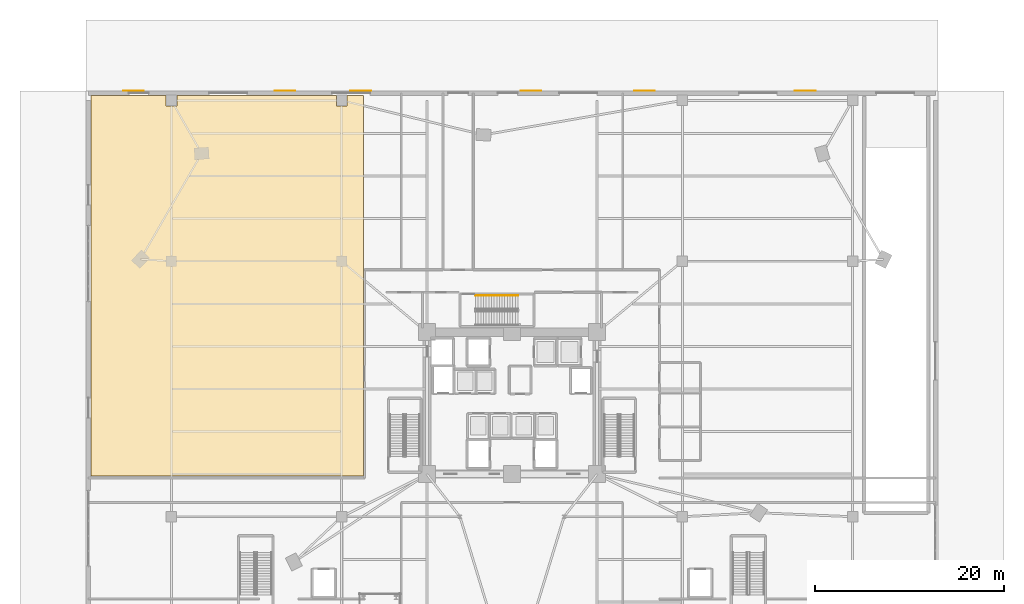
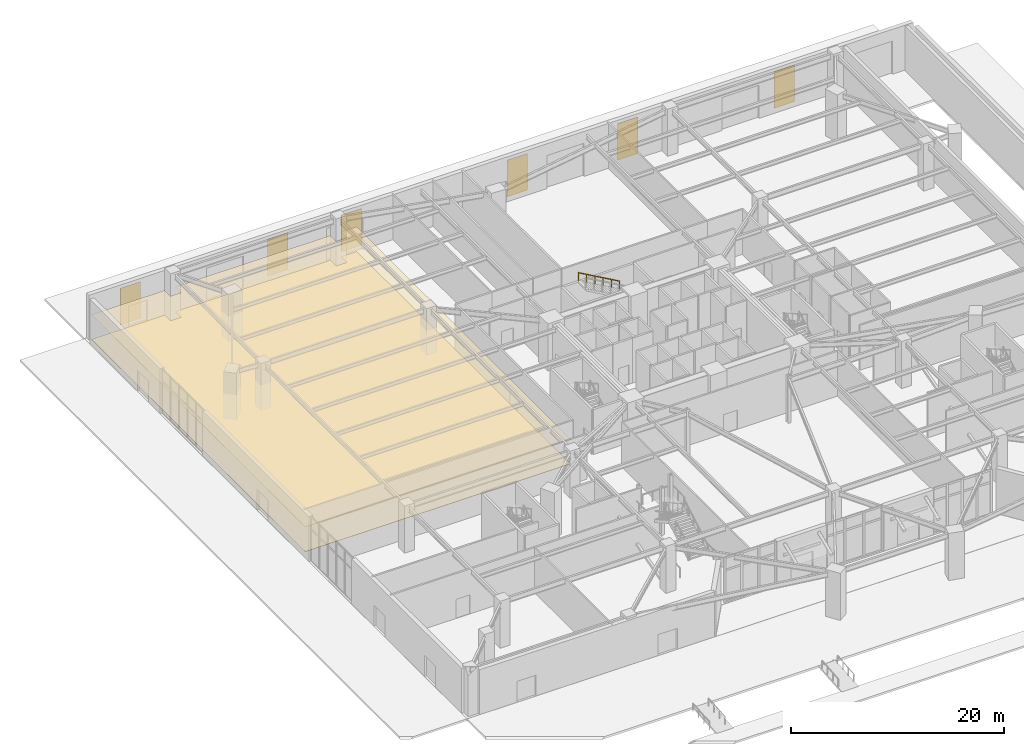
# One storey, part 29 of 30: 8 coverings, 1 railing.
"""IFC4 building model written with IfcOpenShell, lengths in metres."""

from ifc_helpers import new_model, si_unit, direction, frame, origin, origin_2d, place, context, subcontext, project, spatial, polyline, rectangle, outline, extrude, source, transform, mapped, material, layer, layer_set, type_object, element, save


model = new_model("IFC4")

# Units and contexts
model_context = context("Model", 3, precision=1e-05, world=origin(), true_north=direction((0.0, 1.0)))
body_context = subcontext(model_context, "Body", "Model", "MODEL_VIEW")
ifc_project = project(units=[si_unit("LENGTHUNIT", "METRE"), si_unit("AREAUNIT", "SQUARE_METRE"), si_unit("VOLUMEUNIT", "CUBIC_METRE"), si_unit("PLANEANGLEUNIT", "RADIAN"), si_unit("MASSUNIT", "GRAM", prefix="KILO")], contexts=[model_context])

# Site, building, storey
site_placement = place(None, origin())
site = spatial("IfcSite", under=ifc_project, at=site_placement, CompositionType="ELEMENT")
building_placement = place(site_placement, origin())
building = spatial("IfcBuilding", under=site, at=building_placement, Name="Liaohun Quay Tower", CompositionType="ELEMENT")
storey_placement = place(building_placement, origin())
storey = spatial("IfcBuildingStorey", under=building, at=storey_placement, Name="L01", CompositionType="ELEMENT", Elevation=0.0)

# Coverings
ifc_material_1 = material(Name="Mineral-fibre acoustic ceiling tile")
ifc_layer_1 = layer(ifc_material_1, 0.02490234375, Name="Mineral-fibre acoustic ceiling tile")
ifc_layer_set_1 = layer_set([ifc_layer_1], Name="Mineral-fibre acoustic ceiling tile")
covering_type_1 = type_object("IfcCoveringType", Name="COV-CEIL-ACT", PredefinedType="CEILING", material=ifc_layer_set_1)
covering_1_placement = place(storey_placement, frame((0.0, 0.0, 2.85009765625)))
element("IfcCovering", 1, at=covering_1_placement, inside=storey, type_object=covering_type_1, Name="L01 Shenyang Maritime Exhibition Gallery Acoustic Ceiling", PredefinedType="CEILING", context=body_context, shape_type="SweptSolid", body=[
    extrude(outline(polyline([(42.570068359375, 86.52001953125), (42.570068359375, 85.429931640625), (41.429931640625, 85.429931640625), (41.429931640625, 86.52001953125), (24.570068359375, 86.52001953125), (24.570068359375, 85.429931640625), (23.429931640625, 85.429931640625), (23.429931640625, 86.52001953125), (15.47998046875, 86.52001953125), (15.47998046875, 46.300048828125), (44.300048828125, 46.300048828125), (44.300048828125, 86.52001953125), (42.570068359375, 86.52001953125)])), origin(), (0.0, 0.0, 1.0), 0.02490234375),
])
ifc_material_2 = material(Name="Honed Liaodong granite floor paving", Category="masonry")
ifc_layer_2 = layer(ifc_material_2, 0.034912109375, Name="Honed Liaodong granite floor paving", Category="masonry")
ifc_layer_set_2 = layer_set([ifc_layer_2], Name="Honed Liaodong granite floor paving")
covering_type_2 = type_object("IfcCoveringType", Name="COV-FLR-STN", PredefinedType="FLOORING", material=ifc_layer_set_2)
covering_2_placement = place(storey_placement, origin())
element("IfcCovering", 2, at=covering_2_placement, inside=storey, type_object=covering_type_2, Name="L01 Shenyang Maritime Exhibition Gallery Floor Finish", PredefinedType="FLOORING", context=body_context, shape_type="SweptSolid", body=[
    extrude(outline(polyline([(42.570068359375, 86.52001953125), (42.570068359375, 85.429931640625), (41.429931640625, 85.429931640625), (41.429931640625, 86.52001953125), (24.570068359375, 86.52001953125), (24.570068359375, 85.429931640625), (23.429931640625, 85.429931640625), (23.429931640625, 86.52001953125), (15.47998046875, 86.52001953125), (15.47998046875, 46.300048828125), (44.300048828125, 46.300048828125), (44.300048828125, 86.52001953125), (42.570068359375, 86.52001953125)])), origin(), (0.0, 0.0, 1.0), 0.034912109375),
])

# Railing
ifc_material_3 = material(Name="Brushed stainless steel", Category="steel")
railing_type = type_object("IfcRailingType", Name="RLG-HND-STR", PredefinedType="HANDRAIL", material=ifc_material_3)
railing_placement = place(storey_placement, frame((60.6298828125, 65.360107421875, 2.85888671875)))
element("IfcRailing", 3, at=railing_placement, inside=storey, type_object=railing_type, Name="L01 ST-3 stair handrail 2", PredefinedType="HANDRAIL", context=body_context, shape_type="SweptSolid", body=[
    extrude(rectangle(XDim=0.048095703125, YDim=0.048095703125, at=origin_2d()), frame((0.0, 0.0, 0.8759765625), z_axis=(-0.869825572089, 0.0, 0.493359376256), x_axis=(0.0, -1.0, 0.0)), (0.0, 0.0, 1.0), 5.150390625),
    extrude(rectangle(XDim=0.0419921875, YDim=0.0419921875, at=origin_2d()), origin(), (0.0, 0.0, 1.0), 0.851806640625),
    extrude(rectangle(XDim=0.0419921875, YDim=0.0419921875, at=origin_2d()), frame((-0.89599609375, 0.0, 0.50830078125)), (0.0, 0.0, 1.0), 0.851806640625),
    extrude(rectangle(XDim=0.0419921875, YDim=0.0419921875, at=origin_2d()), frame((-1.7919921875, 0.0, 1.016357421875)), (0.0, 0.0, 1.0), 0.851806640625),
    extrude(rectangle(XDim=0.0419921875, YDim=0.0419921875, at=origin_2d()), frame((-2.68798828125, 0.0, 1.524658203125)), (0.0, 0.0, 1.0), 0.851806640625),
    extrude(rectangle(XDim=0.0419921875, YDim=0.0419921875, at=origin_2d()), frame((-3.583984375, 0.0, 2.03271484375)), (0.0, 0.0, 1.0), 0.851806640625),
    extrude(rectangle(XDim=0.0419921875, YDim=0.0419921875, at=origin_2d()), frame((-4.47998046875, 0.0, 2.541015625)), (0.0, 0.0, 1.0), 0.851806640625),
])

# Coverings
ifc_material_4 = material(Name="Bush-hammered Liaodong grey granite stone cladding", Category="masonry")
ifc_layer_3 = layer(ifc_material_4, 0.0400390625, Name="Bush-hammered Liaodong grey granite stone cladding", Category="masonry")
ifc_layer_set_3 = layer_set([ifc_layer_3], Name="Bush-hammered Liaodong grey granite stone cladding")
covering_type_3 = type_object("IfcCoveringType", Name="COV-EXT-CLD", PredefinedType="CLADDING", material=ifc_layer_set_3)
shared_shape = source(origin(), body_context, "Body", "SweptSolid", [
    extrude(rectangle(XDim=2.199951171875, YDim=0.0400390625, at=origin_2d()), origin(), (0.0, 0.0, 1.0), 4.199951171875),
])
for number, where, z_axis, x_axis, name in (
    (4, (20.0, 87.02001953125, 0.2001953125), (0.0, 0.0, 1.0), (1.0, 0.0, 0.0), "L01 Liaodong Granite Facade Cladding Panel 01"),
    (5, (36.0, 87.02001953125, 0.2001953125), (0.0, 0.0, 1.0), (1.0, 0.0, 0.0), "L01 Liaodong Granite Facade Cladding Panel 02"),
    (6, (74.0, 87.02001953125, 0.2001953125), (0.0, 0.0, 1.0), (1.0, 0.0, 0.0), "L01 Liaodong Granite Facade Cladding Panel 03"),
    (7, (91.0, 87.02001953125, 0.2001953125), (0.0, 0.0, 1.0), (1.0, 0.0, 0.0), "L01 Liaodong Granite Facade Cladding Panel 04"),
    (8, (62.0, 87.02001953125, 0.2001953125), (0.0, 0.0, 1.0), (1.0, 0.0, 0.0), "L01 Liaodong Granite Facade Cladding Panel 05"),
    (9, (44.0, 87.02001953125, 0.2001953125), (0.0, 0.0, 1.0), (1.0, 0.0, 0.0), "L01 Liaodong Granite Facade Cladding Panel 06"),
):
    element("IfcCovering", number, at=place(storey_placement, frame(where, z_axis=z_axis, x_axis=x_axis)), inside=storey, type_object=covering_type_3, Name=name, PredefinedType="CLADDING", context=body_context, shape_type="MappedRepresentation", body=[
        mapped(shared_shape, transform((0.0, 0.0, 0.0), x_axis=(1.0, 0.0, 0.0), y_axis=(0.0, 1.0, 0.0), z_axis=(0.0, 0.0, 1.0), scale=1.0)),
    ])

save(model, "model.ifc")
